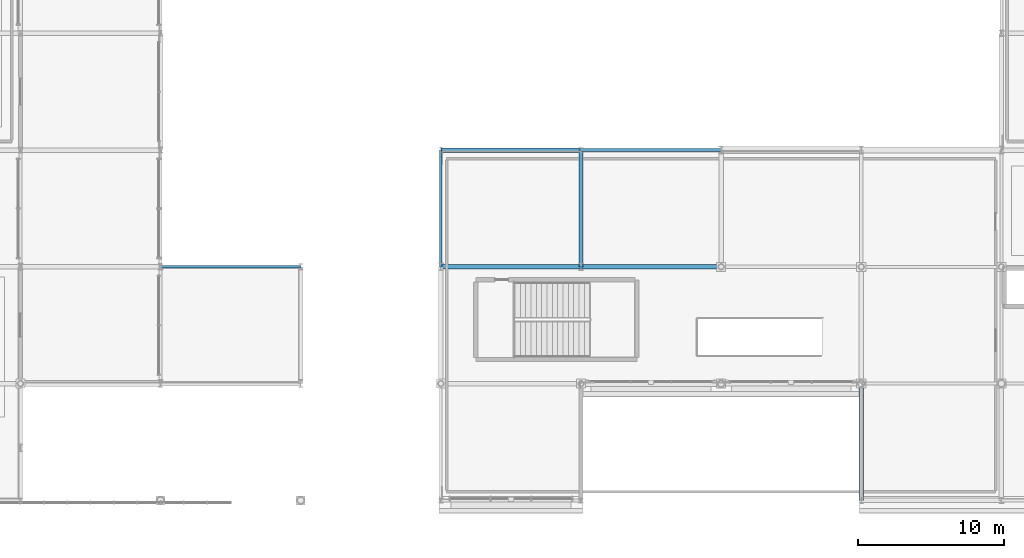
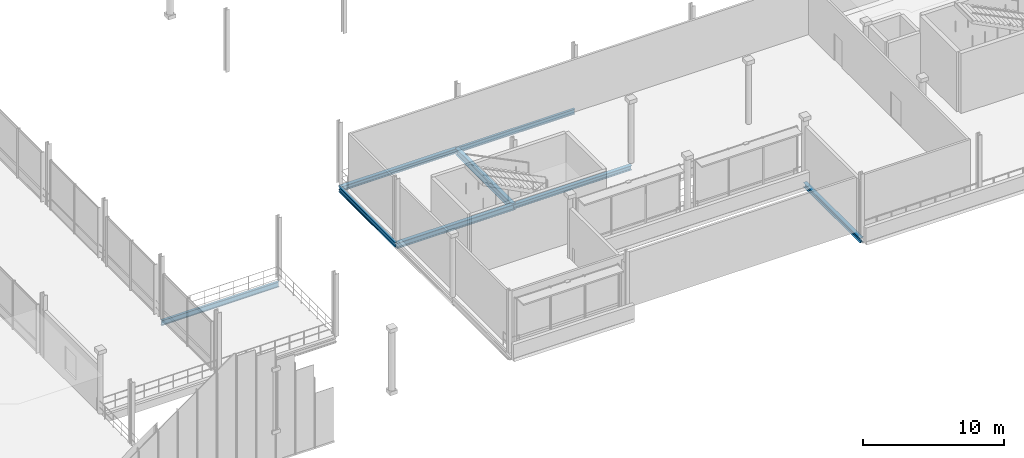
# One storey, part 55 of 129: 8 beams.
"""IFC4 building model written with IfcOpenShell, lengths in metres."""

from ifc_helpers import new_model, si_unit, direction, frame, origin, origin_2d, place, context, subcontext, project, spatial, i_section, extrude, material, material_profile, profile_set, type_object, element, save


model = new_model("IFC4")

# Units and contexts
model_context = context("Model", 3, precision=1e-05, world=origin(), true_north=direction((0.0, 1.0)))
body_context = subcontext(model_context, "Body", "Model", "MODEL_VIEW")
ifc_project = project(units=[si_unit("LENGTHUNIT", "METRE"), si_unit("AREAUNIT", "SQUARE_METRE"), si_unit("VOLUMEUNIT", "CUBIC_METRE"), si_unit("PLANEANGLEUNIT", "RADIAN"), si_unit("MASSUNIT", "GRAM", prefix="KILO")], contexts=[model_context])

# Site, building, storey
site_placement = place(None, origin())
site = spatial("IfcSite", under=ifc_project, at=site_placement, CompositionType="ELEMENT")
building_placement = place(site_placement, origin())
building = spatial("IfcBuilding", under=site, at=building_placement, Name="Danafjord Basin Convention Centre", CompositionType="ELEMENT")
storey_placement = place(building_placement, frame((0.0, 0.0, 6.0)))
storey = spatial("IfcBuildingStorey", under=building, at=storey_placement, Name="L01", CompositionType="ELEMENT", Elevation=6.0)

# Beams
ifc_material = material(Name="Steel S355", Category="steel")
ifc_material_profile_1 = material_profile(ifc_material, i_section(OverallWidth=0.300048828125, OverallDepth=0.389892578125, WebThickness=0.010986328125, FlangeThickness=0.01904296875, FilletRadius=0.027099609375, at=origin_2d()), Name="HEA 400")
ifc_profile_set_1 = profile_set([ifc_material_profile_1], Name="Steel S355")
beam_type_1 = type_object("IfcBeamType", Name="BEAM-BM-HEA400", PredefinedType="BEAM", material=ifc_profile_set_1)
beam_1_placement = place(storey_placement, frame((153.60009765625, 16.0, -0.425048828125), z_axis=(1.0, 0.0, 0.0), x_axis=(0.0, 1.0, 0.0)))
element("IfcBeam", 1, at=beam_1_placement, inside=storey, type_object=beam_type_1, Name="L01 girder BM-HEA400", PredefinedType="BEAM", context=body_context, shape_type="SweptSolid", body=[
    extrude(i_section(OverallWidth=0.300048828125, OverallDepth=0.389892578125, WebThickness=0.010986328125, FlangeThickness=0.01904296875, FilletRadius=0.027099609375, at=origin_2d()), origin(), (0.0, 0.0, 1.0), 9.599853515625),
])
ifc_material_profile_2 = material_profile(ifc_material, i_section(OverallWidth=0.300048828125, OverallDepth=0.489990234375, WebThickness=0.011962890625, FlangeThickness=0.02294921875, FilletRadius=0.027099609375, at=origin_2d()), Name="HEA 500")
ifc_profile_set_2 = profile_set([ifc_material_profile_2], Name="Steel S355")
beam_type_2 = type_object("IfcBeamType", Name="BEAM-BM-HEA500", PredefinedType="BEAM", material=ifc_profile_set_2)
beam_2_placement = place(storey_placement, frame((144.0, 16.0, -0.47509765625), z_axis=(1.0, 0.0, 0.0), x_axis=(0.0, 1.0, 0.0)))
element("IfcBeam", 2, at=beam_2_placement, inside=storey, type_object=beam_type_2, Name="L01 girder BM-HEA500", PredefinedType="BEAM", context=body_context, shape_type="SweptSolid", body=[
    extrude(i_section(OverallWidth=0.300048828125, OverallDepth=0.489990234375, WebThickness=0.011962890625, FlangeThickness=0.02294921875, FilletRadius=0.027099609375, at=origin_2d()), origin(), (0.0, 0.0, 1.0), 9.60009765625),
])
ifc_material_profile_3 = material_profile(ifc_material, i_section(OverallWidth=0.300048828125, OverallDepth=0.60009765625, WebThickness=0.015380859375, FlangeThickness=0.030029296875, FilletRadius=0.027099609375, at=origin_2d()), Name="HEB 600")
ifc_profile_set_3 = profile_set([ifc_material_profile_3], Name="Steel S355")
beam_type_3 = type_object("IfcBeamType", Name="BEAM-BM-HEB600", PredefinedType="BEAM", material=ifc_profile_set_3)
beam_3_placement = place(storey_placement, frame((153.60009765625, 16.0, -0.530029296875), z_axis=(0.0, 1.0, 0.0), x_axis=(-1.0, 0.0, 0.0)))
element("IfcBeam", 3, at=beam_3_placement, inside=storey, type_object=beam_type_3, Name="L01 transverse girder BM-HEB600", PredefinedType="BEAM", context=body_context, shape_type="SweptSolid", body=[
    extrude(i_section(OverallWidth=0.300048828125, OverallDepth=0.60009765625, WebThickness=0.015380859375, FlangeThickness=0.030029296875, FilletRadius=0.027099609375, at=origin_2d()), origin(), (0.0, 0.0, 1.0), 8.0),
])
ifc_material_profile_4 = material_profile(ifc_material, i_section(OverallWidth=0.300048828125, OverallDepth=0.39990234375, WebThickness=0.013427734375, FlangeThickness=0.02392578125, FilletRadius=0.027099609375, at=origin_2d()), Name="HEB 400")
ifc_profile_set_4 = profile_set([ifc_material_profile_4], Name="Steel S355")
beam_type_4 = type_object("IfcBeamType", Name="BEAM-SP-HEB400", PredefinedType="SPANDREL", material=ifc_profile_set_4)
beam_4_placement = place(storey_placement, frame((144.0, 24.0, -0.429931640625), z_axis=(1.0, 0.0, 0.0), x_axis=(0.0, 1.0, 0.0)))
element("IfcBeam", 4, at=beam_4_placement, inside=storey, type_object=beam_type_4, Name="L01 girder SP-HEB400", PredefinedType="SPANDREL", context=body_context, shape_type="SweptSolid", body=[
    extrude(i_section(OverallWidth=0.300048828125, OverallDepth=0.39990234375, WebThickness=0.013427734375, FlangeThickness=0.02392578125, FilletRadius=0.027099609375, at=origin_2d()), origin(), (0.0, 0.0, 1.0), 9.60009765625),
])
beam_5_placement = place(storey_placement, frame((172.800048828125, 0.0, -0.429931640625), z_axis=(0.0, 1.0, 0.0), x_axis=(-1.0, 0.0, 0.0)))
element("IfcBeam", 5, at=beam_5_placement, inside=storey, type_object=beam_type_4, Name="L01 transverse girder SP-HEB400", PredefinedType="SPANDREL", context=body_context, shape_type="SweptSolid", body=[
    extrude(i_section(OverallWidth=0.300048828125, OverallDepth=0.39990234375, WebThickness=0.013427734375, FlangeThickness=0.02392578125, FilletRadius=0.027099609375, at=origin_2d()), origin(), (0.0, 0.0, 1.0), 8.0),
])
ifc_material_profile_5 = material_profile(ifc_material, i_section(OverallWidth=0.18994140625, OverallDepth=0.449951171875, WebThickness=0.009521484375, FlangeThickness=0.0146484375, FilletRadius=0.02099609375, at=origin_2d()), Name="IPE 450")
ifc_profile_set_5 = profile_set([ifc_material_profile_5], Name="Steel S355")
beam_type_5 = type_object("IfcBeamType", Name="BEAM-SP-IPE450", PredefinedType="SPANDREL", material=ifc_profile_set_5)
for number, where, z_axis, x_axis, name in (
    (6, (124.800048828125, 16.0, -0.455078125), (1.0, 0.0, 0.0), (0.0, 1.0, 0.0), "L01 girder SP-IPE450"),
    (7, (153.60009765625, 24.0, -0.455078125), (1.0, 0.0, 0.0), (0.0, 1.0, 0.0), "L01 girder SP-IPE450"),
):
    element("IfcBeam", number, at=place(storey_placement, frame(where, z_axis=z_axis, x_axis=x_axis)), inside=storey, type_object=beam_type_5, Name=name, PredefinedType="SPANDREL", context=body_context, shape_type="SweptSolid", body=[
        extrude(i_section(OverallWidth=0.18994140625, OverallDepth=0.449951171875, WebThickness=0.009521484375, FlangeThickness=0.0146484375, FilletRadius=0.02099609375, at=origin_2d()), origin(), (0.0, 0.0, 1.0), 9.599853515625),
    ])
beam_6_placement = place(storey_placement, frame((144.0, 16.0, -0.455078125), z_axis=(0.0, 1.0, 0.0), x_axis=(-1.0, 0.0, 0.0)))
element("IfcBeam", 8, at=beam_6_placement, inside=storey, type_object=beam_type_5, Name="L01 transverse girder SP-IPE450", PredefinedType="SPANDREL", context=body_context, shape_type="SweptSolid", body=[
    extrude(i_section(OverallWidth=0.18994140625, OverallDepth=0.449951171875, WebThickness=0.009521484375, FlangeThickness=0.0146484375, FilletRadius=0.02099609375, at=origin_2d()), origin(), (0.0, 0.0, 1.0), 8.0),
])

save(model, "model.ifc")
